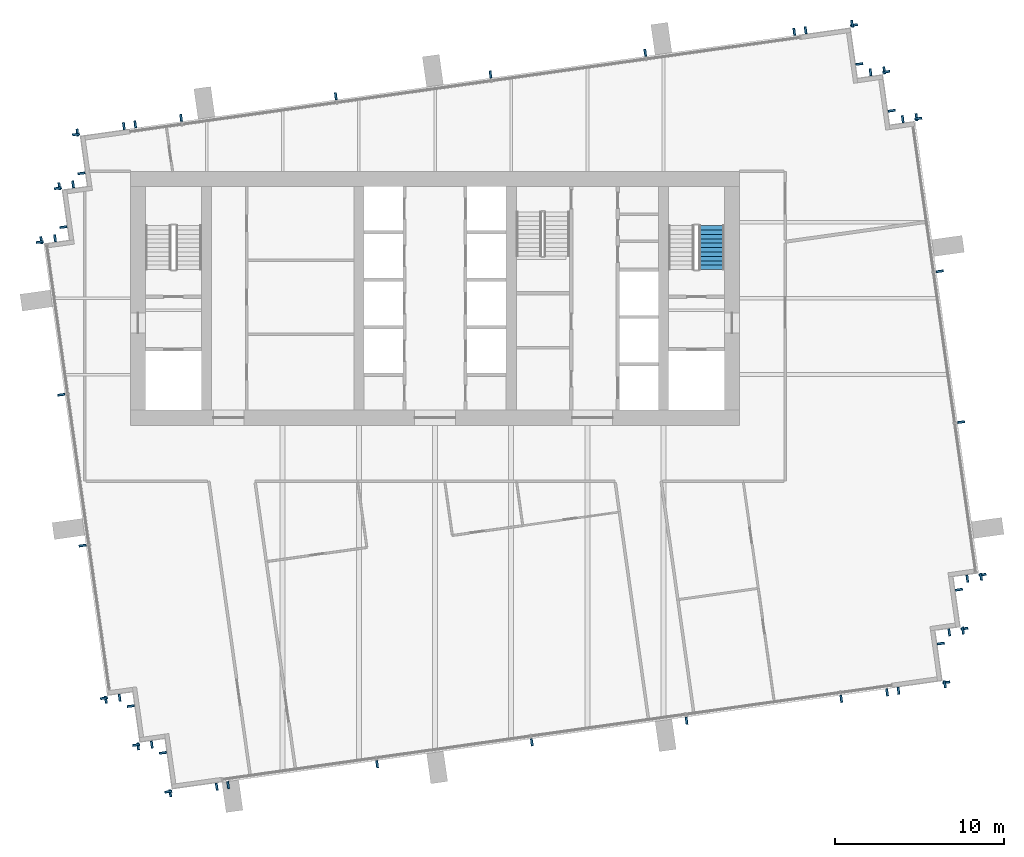
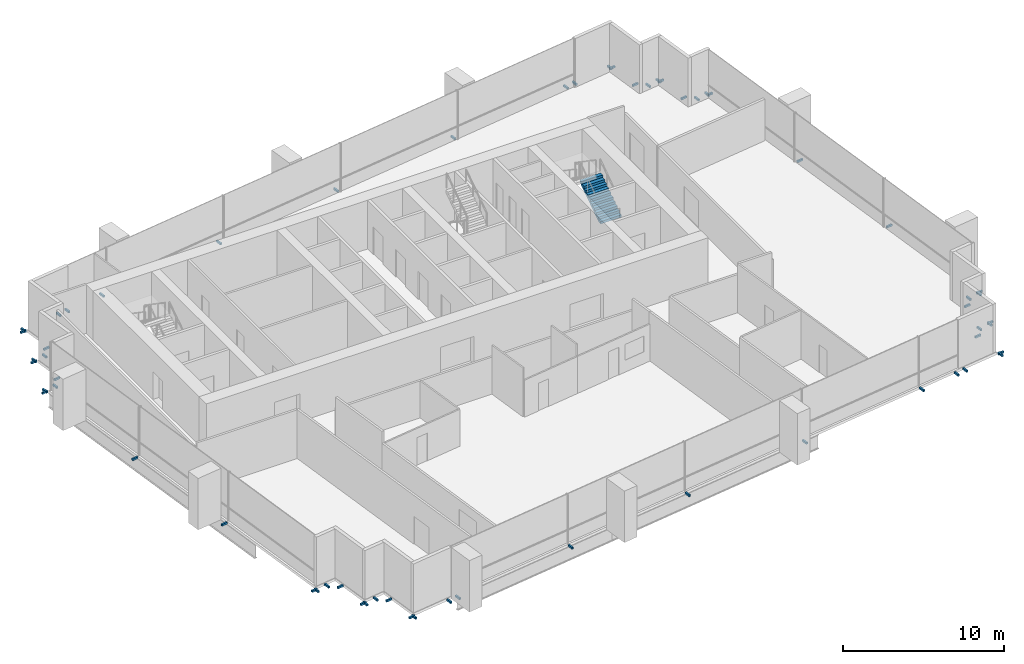
# One storey, part 12 of 13: 60 discrete accessories, 1 stair flight, 1 element without a shape of its own.
"""IFC4 building model written with IfcOpenShell, lengths in metres."""

from ifc_helpers import new_model, si_unit, direction, frame, origin, origin_2d, place, context, subcontext, project, spatial, polyline, rectangle, outline, extrude, material, type_object, element, aggregate, save


model = new_model("IFC4")

# Units and contexts
model_context = context("Model", 3, precision=1e-05, world=origin(), true_north=direction((0.0, 1.0)))
body_context = subcontext(model_context, "Body", "Model", "MODEL_VIEW")
ifc_project = project(units=[si_unit("LENGTHUNIT", "METRE"), si_unit("AREAUNIT", "SQUARE_METRE"), si_unit("VOLUMEUNIT", "CUBIC_METRE"), si_unit("PLANEANGLEUNIT", "RADIAN"), si_unit("MASSUNIT", "GRAM", prefix="KILO")], contexts=[model_context])

# Site, building, storey
site_placement = place(None, origin())
site = spatial("IfcSite", under=ifc_project, at=site_placement, CompositionType="ELEMENT")
building_placement = place(site_placement, origin())
building = spatial("IfcBuilding", under=site, at=building_placement, Name="Rattan Terrace Tower", CompositionType="ELEMENT")
storey_placement = place(building_placement, frame((0.0, 0.0, 217.39990234375)))
storey = spatial("IfcBuildingStorey", under=building, at=storey_placement, Name="L49", CompositionType="ELEMENT", Elevation=217.39990234375)

# Stair, stair flight
ifc_material_1 = material(Name="Concrete C40/50", Category="concrete")
stair_type = type_object("IfcStairType", Name="Core exit stair 1500", PredefinedType="HALF_TURN_STAIR", material=ifc_material_1)
stair_placement = place(storey_placement, origin())
stair = element("IfcStair", 1, at=stair_placement, inside=storey, type_object=stair_type, Name="L49 exit stair 2", PredefinedType="HALF_TURN_STAIR")
ifc_material_2 = material(Name="Concrete C40/50", Category="concrete")
stair_flight_type = type_object("IfcStairFlightType", Name="Core exit stair flight 1500", PredefinedType="STRAIGHT", material=ifc_material_2)
stair_flight_placement = place(storey_placement, frame((16.35009765625, 1.699951171875, 0.0), z_axis=(0.0, 0.0, 1.0), x_axis=(0.0, 1.0, 0.0)))
stair_flight = element("IfcStairFlight", 2, at=stair_flight_placement, type_object=stair_flight_type, Name="S2 flight 1", NumberOfRisers=11, NumberOfTreads=10, PredefinedType="STRAIGHT", RiserHeight=0.177272727, TreadLength=0.26, context=body_context, shape_type="SweptSolid", body=[
    extrude(outline(polyline([(0.0, 0.0), (0.0, 0.17724609375), (0.260009765625, 0.17724609375), (0.260009765625, 0.3544921875), (0.52001953125, 0.3544921875), (0.52001953125, 0.53173828125), (0.780029296875, 0.53173828125), (0.780029296875, 0.708984375), (1.0400390625, 0.708984375), (1.0400390625, 0.886474609375), (1.300048828125, 0.886474609375), (1.300048828125, 1.063720703125), (1.56005859375, 1.063720703125), (1.56005859375, 1.240966796875), (1.820068359375, 1.240966796875), (1.820068359375, 1.418212890625), (2.080078125, 1.418212890625), (2.080078125, 1.595458984375), (2.340087890625, 1.595458984375), (2.340087890625, 1.772705078125), (2.60009765625, 1.772705078125), (2.60009765625, 1.949951171875), (2.60009765625, 1.59130859375), (0.26611328125, 0.0), (0.0, 0.0)])), frame((0.0, 0.75, 0.0), z_axis=(0.0, -1.0, 0.0), x_axis=(1.0, 0.0, 0.0)), (0.0, 0.0, 1.0), 1.5),
])
aggregate(stair, [stair_flight])

# Discrete accessories
for number, where, z_axis, x_axis, name in (
    (3, (27.385009765625, -23.1875, -0.169921875), (0.0, 0.0, 1.0), (0.990247240581, 0.139321220646, 0.0), "Panel bracket L49-1"),
    (4, (30.1279296875, -22.8017578125, -0.169921875), (0.0, 0.0, 1.0), (0.990247240581, 0.139321220646, 0.0), "Panel bracket L49-2"),
    (5, (30.213134765625, -22.6884765625, -0.169921875), (0.0, 0.0, 1.0), (-0.138994363123, 0.990293172258, 0.0), "Panel bracket L49-3"),
    (6, (29.890869140625, -20.391357421875, -0.169921875), (0.0, 0.0, 1.0), (-0.138994363123, 0.990293172258, 0.0), "Panel bracket L49-4"),
    (7, (30.384521484375, -19.736328125, -0.169921875), (0.0, 0.0, 1.0), (0.990332587523, 0.138713251317, 0.0), "Panel bracket L49-5"),
    (8, (31.1962890625, -19.62255859375, -0.169921875), (0.0, 0.0, 1.0), (0.990332587523, 0.138713251317, 0.0), "Panel bracket L49-6"),
    (9, (31.28125, -19.510009765625, -0.169921875), (0.0, 0.0, 1.0), (-0.139321220646, 0.990247240581, 0.0), "Panel bracket L49-7"),
    (10, (30.9580078125, -17.212158203125, -0.169921875), (0.0, 0.0, 1.0), (-0.139321220646, 0.990247240581, 0.0), "Panel bracket L49-8"),
    (11, (31.45166015625, -16.556884765625, -0.169921875), (0.0, 0.0, 1.0), (0.99025370695, 0.139275252184, 0.0), "Panel bracket L49-9"),
    (12, (32.26416015625, -16.442626953125, -0.169921875), (0.0, 0.0, 1.0), (0.99025370695, 0.139275252184, 0.0), "Panel bracket L49-10"),
    (13, (32.349365234375, -16.32958984375, -0.169921875), (0.0, 0.0, 1.0), (-0.139186165309, 0.990266232579, 0.0), "Panel bracket L49-11"),
    (14, (31.081298828125, -7.308349609375, -0.169921875), (0.0, 0.0, 1.0), (-0.139186165309, 0.990266232579, 0.0), "Panel bracket L49-12"),
    (15, (29.82861328125, 1.60400390625, -0.169921875), (0.0, 0.0, 1.0), (-0.139186165309, 0.990266232579, 0.0), "Panel bracket L49-13"),
    (16, (28.560546875, 10.625244140625, -0.169921875), (0.0, 0.0, 1.0), (-0.139186165309, 0.990266232579, 0.0), "Panel bracket L49-14"),
    (17, (28.44775390625, 10.710205078125, -0.169921875), (0.0, 0.0, 1.0), (-0.990240767803, -0.139367219175, 0.0), "Panel bracket L49-15"),
    (18, (27.635986328125, 10.595947265625, -0.169921875), (0.0, 0.0, 1.0), (-0.990240767803, -0.139367219175, 0.0), "Panel bracket L49-16"),
    (19, (26.98095703125, 11.089599609375, -0.169921875), (0.0, 0.0, 1.0), (-0.139321220646, 0.990247240581, 0.0), "Panel bracket L49-17"),
    (20, (26.65771484375, 13.38720703125, -0.169921875), (0.0, 0.0, 1.0), (-0.139321220646, 0.990247240581, 0.0), "Panel bracket L49-18"),
    (21, (26.544677734375, 13.47216796875, -0.169921875), (0.0, 0.0, 1.0), (-0.990240767803, -0.139367219175, 0.0), "Panel bracket L49-19"),
    (22, (25.733154296875, 13.358154296875, -0.169921875), (0.0, 0.0, 1.0), (-0.990240767803, -0.139367219175, 0.0), "Panel bracket L49-20"),
    (23, (25.077880859375, 13.8515625, -0.169921875), (0.0, 0.0, 1.0), (-0.139321220646, 0.990247240581, 0.0), "Panel bracket L49-21"),
    (24, (24.754638671875, 16.14892578125, -0.169921875), (0.0, 0.0, 1.0), (-0.139321220646, 0.990247240581, 0.0), "Panel bracket L49-22"),
    (25, (24.6416015625, 16.234130859375, -0.169921875), (0.0, 0.0, 1.0), (-0.990293172258, -0.138994363123, 0.0), "Panel bracket L49-23"),
    (26, (21.8984375, 15.84912109375, -0.169921875), (0.0, 0.0, 1.0), (-0.990293172258, -0.138994363123, 0.0), "Panel bracket L49-24"),
    (27, (21.22509765625, 15.754638671875, -0.169921875), (0.0, 0.0, 1.0), (-0.990267457022, -0.139177453499, 0.0), "Panel bracket L49-25"),
    (28, (12.420654296875, 14.517333984375, -0.169921875), (0.0, 0.0, 1.0), (-0.990267457022, -0.139177453499, 0.0), "Panel bracket L49-26"),
    (29, (3.279541015625, 13.232421875, -0.169921875), (0.0, 0.0, 1.0), (-0.990267457022, -0.139177453499, 0.0), "Panel bracket L49-27"),
    (30, (-5.861572265625, 11.94775390625, -0.169921875), (0.0, 0.0, 1.0), (-0.990267457022, -0.139177453499, 0.0), "Panel bracket L49-28"),
    (31, (-15.0029296875, 10.6630859375, -0.169921875), (0.0, 0.0, 1.0), (-0.990267457022, -0.139177453499, 0.0), "Panel bracket L49-29"),
    (32, (-17.711669921875, 10.2822265625, -0.169921875), (0.0, 0.0, 1.0), (-0.990267457022, -0.139177453499, 0.0), "Panel bracket L49-30"),
    (33, (-18.385009765625, 10.1875, -0.169921875), (0.0, 0.0, 1.0), (-0.990247240581, -0.139321220646, 0.0), "Panel bracket L49-31"),
    (34, (-21.1279296875, 9.8017578125, -0.169921875), (0.0, 0.0, 1.0), (-0.990247240581, -0.139321220646, 0.0), "Panel bracket L49-32"),
    (35, (-21.213134765625, 9.6884765625, -0.169921875), (0.0, 0.0, 1.0), (0.138994363123, -0.990293172258, 0.0), "Panel bracket L49-33"),
    (36, (-20.890869140625, 7.391357421875, -0.169921875), (0.0, 0.0, 1.0), (0.138994363123, -0.990293172258, 0.0), "Panel bracket L49-34"),
    (37, (-21.384521484375, 6.736328125, -0.169921875), (0.0, 0.0, 1.0), (-0.990332587523, -0.138713251317, 0.0), "Panel bracket L49-35"),
    (38, (-22.1962890625, 6.62255859375, -0.169921875), (0.0, 0.0, 1.0), (-0.990332587523, -0.138713251317, 0.0), "Panel bracket L49-36"),
    (39, (-22.28125, 6.510009765625, -0.169921875), (0.0, 0.0, 1.0), (0.139321220646, -0.990247240581, 0.0), "Panel bracket L49-37"),
    (40, (-21.9580078125, 4.212158203125, -0.169921875), (0.0, 0.0, 1.0), (0.139321220646, -0.990247240581, 0.0), "Panel bracket L49-38"),
    (41, (-22.45166015625, 3.556884765625, -0.169921875), (0.0, 0.0, 1.0), (-0.99025370695, -0.139275252184, 0.0), "Panel bracket L49-39"),
    (42, (-23.26416015625, 3.442626953125, -0.169921875), (0.0, 0.0, 1.0), (-0.99025370695, -0.139275252184, 0.0), "Panel bracket L49-40"),
    (43, (-23.349365234375, 3.32958984375, -0.169921875), (0.0, 0.0, 1.0), (0.139186165309, -0.990266232579, 0.0), "Panel bracket L49-41"),
    (44, (-22.081298828125, -5.691650390625, -0.169921875), (0.0, 0.0, 1.0), (0.139186165309, -0.990266232579, 0.0), "Panel bracket L49-42"),
    (45, (-20.82861328125, -14.60400390625, -0.169921875), (0.0, 0.0, 1.0), (0.139186165309, -0.990266232579, 0.0), "Panel bracket L49-43"),
    (46, (-19.560546875, -23.625244140625, -0.169921875), (0.0, 0.0, 1.0), (0.139186165309, -0.990266232579, 0.0), "Panel bracket L49-44"),
    (47, (-19.44775390625, -23.710205078125, -0.169921875), (0.0, 0.0, 1.0), (0.990240767803, 0.139367219175, 0.0), "Panel bracket L49-45"),
    (48, (-18.635986328125, -23.595947265625, -0.169921875), (0.0, 0.0, 1.0), (0.990240767803, 0.139367219175, 0.0), "Panel bracket L49-46"),
    (49, (-17.98095703125, -24.089599609375, -0.169921875), (0.0, 0.0, 1.0), (0.139321220646, -0.990247240581, 0.0), "Panel bracket L49-47"),
    (50, (-17.65771484375, -26.38720703125, -0.169921875), (0.0, 0.0, 1.0), (0.139321220646, -0.990247240581, 0.0), "Panel bracket L49-48"),
    (51, (-17.544677734375, -26.47216796875, -0.169921875), (0.0, 0.0, 1.0), (0.990240767803, 0.139367219175, 0.0), "Panel bracket L49-49"),
    (52, (-16.733154296875, -26.358154296875, -0.169921875), (0.0, 0.0, 1.0), (0.990240767803, 0.139367219175, 0.0), "Panel bracket L49-50"),
    (53, (-16.077880859375, -26.8515625, -0.169921875), (0.0, 0.0, 1.0), (0.139321220646, -0.990247240581, 0.0), "Panel bracket L49-51"),
    (54, (-15.754638671875, -29.14892578125, -0.169921875), (0.0, 0.0, 1.0), (0.139321220646, -0.990247240581, 0.0), "Panel bracket L49-52"),
    (55, (-15.6416015625, -29.234130859375, -0.169921875), (0.0, 0.0, 1.0), (0.990293172258, 0.138994363123, 0.0), "Panel bracket L49-53"),
    (56, (-12.8984375, -28.84912109375, -0.169921875), (0.0, 0.0, 1.0), (0.990293172258, 0.138994363123, 0.0), "Panel bracket L49-54"),
    (57, (-12.22509765625, -28.754638671875, -0.169921875), (0.0, 0.0, 1.0), (0.990267457022, 0.139177453499, 0.0), "Panel bracket L49-55"),
    (58, (-3.420654296875, -27.517333984375, -0.169921875), (0.0, 0.0, 1.0), (0.990267457022, 0.139177453499, 0.0), "Panel bracket L49-56"),
    (59, (5.720458984375, -26.232421875, -0.169921875), (0.0, 0.0, 1.0), (0.990267457022, 0.139177453499, 0.0), "Panel bracket L49-57"),
    (60, (14.861572265625, -24.94775390625, -0.169921875), (0.0, 0.0, 1.0), (0.990267457022, 0.139177453499, 0.0), "Panel bracket L49-58"),
    (61, (24.0029296875, -23.6630859375, -0.169921875), (0.0, 0.0, 1.0), (0.990267457022, 0.139177453499, 0.0), "Panel bracket L49-59"),
    (62, (26.711669921875, -23.2822265625, -0.169921875), (0.0, 0.0, 1.0), (0.990267457022, 0.139177453499, 0.0), "Panel bracket L49-60"),
):
    element("IfcDiscreteAccessory", number, at=place(storey_placement, frame(where, z_axis=z_axis, x_axis=x_axis)), inside=storey, Name=name, PredefinedType="BRACKET", context=body_context, shape_type="SweptSolid", body=[
        extrude(rectangle(XDim=0.1201171875, YDim=0.419921875, at=origin_2d()), origin(), (0.0, 0.0, 1.0), 0.139892578125),
    ])

save(model, "model.ifc")
